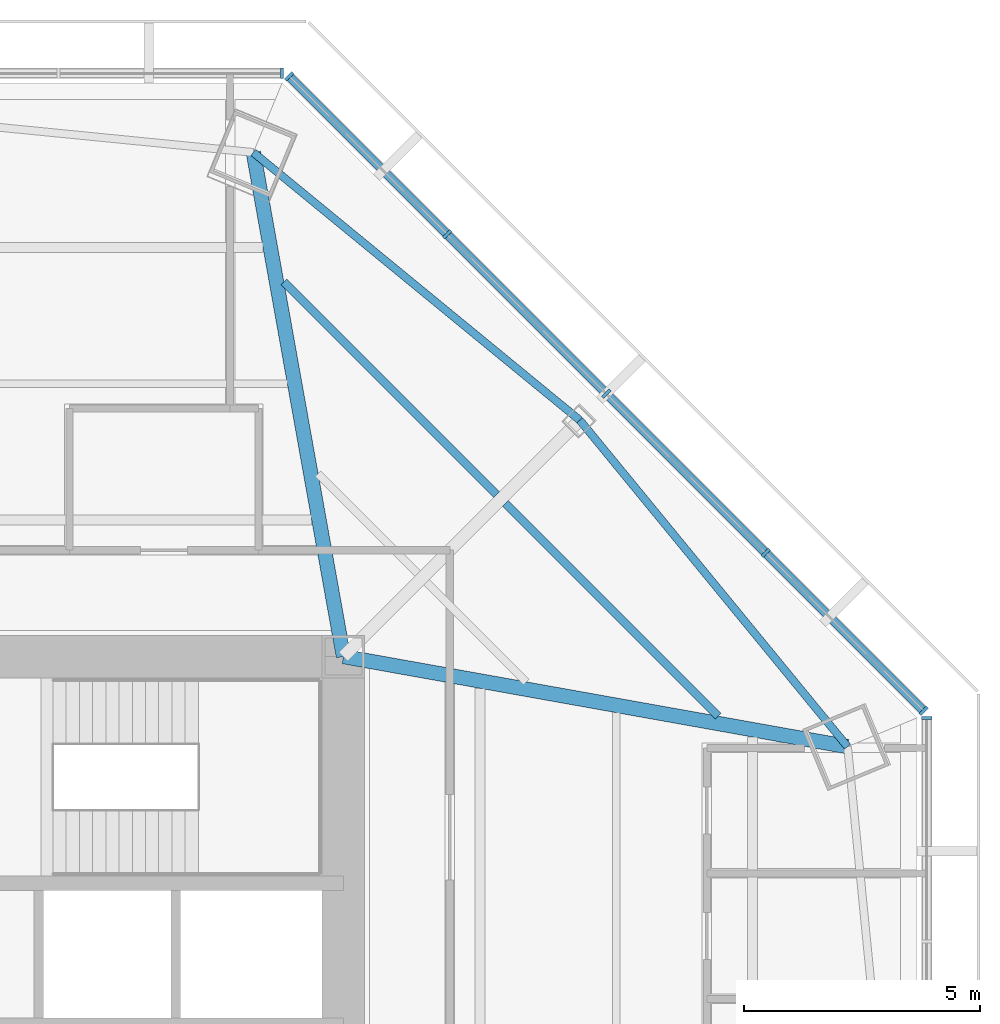
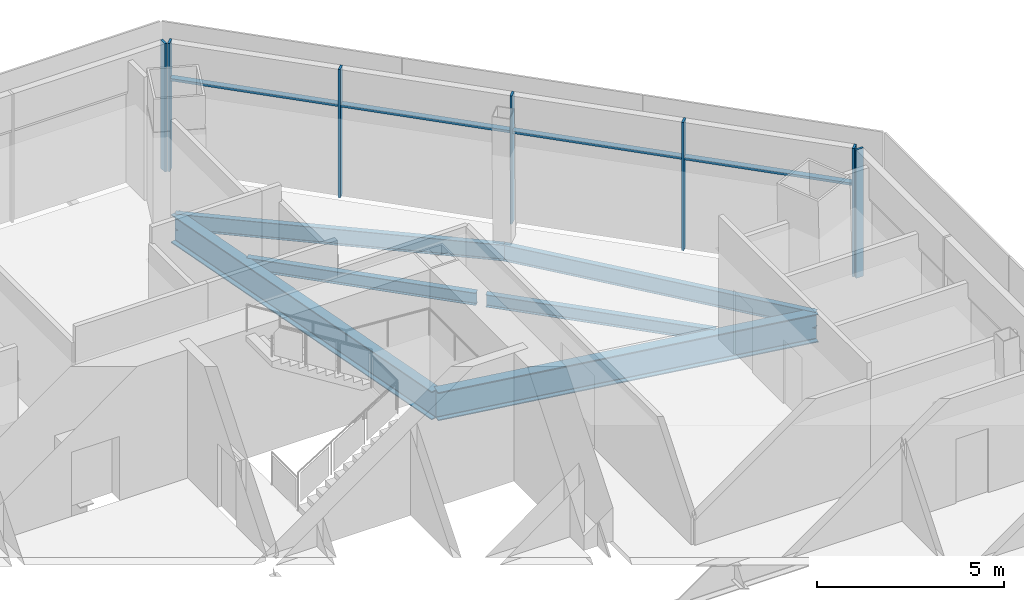
# One storey, part 6 of 15: 11 members, 6 beams, 3 elements without a shape of their own.
"""IFC4 building model written with IfcOpenShell, lengths in metres."""

import ifcopenshell
import ifcopenshell.guid

model = None  # the IFC model being written
_history = None  # IfcOwnerHistory: only IFC2X3 demands one
_inside = {}  # id of a spatial element -> (the spatial element, [elements in it])
_under = {}  # id of a project, library or spatial element -> (it, [spatial elements below it])
_declared = {}  # id of a project -> (the project, [libraries it declares])
_typed = {}  # id of a type object -> (the type object, [elements of that type])
_made_of = {}  # id of a material, layer set ... -> (it, [elements and type objects made of it])


def new_model(schema):
    """Start an empty IFC model of exactly this schema.

    Asked for "IFC4X3", IfcOpenShell would pick the latest addendum, in which some entities
    have other attributes; the version numbers below select the first issue.
    IFC2X3 requires an IfcOwnerHistory on every rooted entity: one is made here for all.
    """
    global model, _history
    if schema == "IFC4X3":
        model = ifcopenshell.file(schema_version=(4, 3, 0, 0))
    else:
        model = ifcopenshell.file(schema=schema)
    _inside.clear()
    _under.clear()
    _declared.clear()
    _typed.clear()
    _made_of.clear()
    _history = None
    if model.schema == "IFC2X3":
        org = make("IfcOrganization", Name="unknown")
        user = make(
            "IfcPersonAndOrganization",
            ThePerson=make("IfcPerson", FamilyName="unknown"),
            TheOrganization=org,
        )
        app = make(
            "IfcApplication",
            ApplicationDeveloper=org,
            Version="unknown",
            ApplicationFullName="unknown",
            ApplicationIdentifier="unknown",
        )
        _history = make(
            "IfcOwnerHistory",
            OwningUser=user,
            OwningApplication=app,
            ChangeAction="ADDED",
            CreationDate=0,
        )
    return model


def make(cls, **values):
    """One entity of the class cls with the attributes given. An attribute that is None is left unset."""
    return model.create_entity(
        cls, **{name: value for name, value in values.items() if value is not None}
    )


def rooted(cls, **values):
    """An entity with a GlobalId (a new one), such as an element, a storey or a relation."""
    return make(cls, GlobalId=ifcopenshell.guid.new(), OwnerHistory=_history, **values)


def si_unit(unit_type, name, prefix=None):
    """IfcSIUnit, for example si_unit("LENGTHUNIT", "METRE", prefix="MILLI")."""
    return make("IfcSIUnit", UnitType=unit_type, Prefix=prefix, Name=name)


def assignment(units):
    """IfcUnitAssignment: the units of a project."""
    return None if units is None else make("IfcUnitAssignment", Units=units)


def point(xyz):
    """IfcCartesianPoint."""
    return None if xyz is None else make("IfcCartesianPoint", Coordinates=xyz)


def direction(xyz):
    """IfcDirection."""
    return None if xyz is None else make("IfcDirection", DirectionRatios=xyz)


def frame(location, z_axis=None, x_axis=None):
    """IfcAxis2Placement3D, a coordinate frame: its origin and axes. An axis left out is left unset."""
    return make(
        "IfcAxis2Placement3D",
        Location=point(location),
        Axis=direction(z_axis),
        RefDirection=direction(x_axis),
    )


def frame_2d(location, x_axis=None):
    """IfcAxis2Placement2D, a coordinate frame in the plane: its origin and x axis."""
    return make(
        "IfcAxis2Placement2D", Location=point(location), RefDirection=direction(x_axis)
    )


def origin():
    """The frame at (0, 0, 0) with its axes left unset."""
    return frame((0.0, 0.0, 0.0))


def origin_2d():
    """The frame at (0, 0) in the plane with its x axis left unset."""
    return frame_2d((0.0, 0.0))


def place(relative_to, where):
    """IfcLocalPlacement: puts the frame where relative to a parent placement (None: the world)."""
    return make(
        "IfcLocalPlacement", PlacementRelTo=relative_to, RelativePlacement=where
    )


def context(
    kind, dimensions, precision=None, world=None, true_north=None, identifier=None
):
    """IfcGeometricRepresentationContext, for example the 3D "Model" context."""
    return make(
        "IfcGeometricRepresentationContext",
        ContextIdentifier=identifier,
        ContextType=kind,
        CoordinateSpaceDimension=dimensions,
        Precision=precision,
        WorldCoordinateSystem=world,
        TrueNorth=true_north,
    )


def subcontext(parent, identifier, kind, view, scale=None):
    """IfcGeometricRepresentationSubContext, for example "Body" below "Model"."""
    return make(
        "IfcGeometricRepresentationSubContext",
        ContextIdentifier=identifier,
        ContextType=kind,
        ParentContext=parent,
        TargetScale=scale,
        TargetView=view,
    )


def project(units=None, contexts=None):
    """IfcProject with its units and contexts."""
    return rooted(
        "IfcProject",
        Name="project",
        RepresentationContexts=contexts,
        UnitsInContext=assignment(units),
    )


def spatial(cls, under=None, at=None, **own):
    """A site, building, storey or space (cls), placed at a placement, below another one or the project."""
    s = rooted(cls, ObjectPlacement=at, **own)
    if under is not None:
        _under.setdefault(under.id(), (under, []))[1].append(s)
    return s


def profile(cls, at=None, kind="AREA", **sizes):
    """A parametric profile (cls). Its sizes go by their IFC names, for example OverallWidth=200.0."""
    return make(cls, ProfileType=kind, Position=at, **sizes)


def rectangle(**sizes):
    """IfcRectangleProfileDef."""
    return profile("IfcRectangleProfileDef", **sizes)


def i_section(**sizes):
    """IfcIShapeProfileDef."""
    return profile("IfcIShapeProfileDef", **sizes)


def extrude(swept, where, along, depth):
    """IfcExtrudedAreaSolid: the profile swept, set in the frame where, extruded along a direction by depth."""
    return make(
        "IfcExtrudedAreaSolid",
        SweptArea=swept,
        Position=where,
        ExtrudedDirection=direction(along),
        Depth=depth,
    )


def shape(context_of_items, identifier, shape_type, items):
    """IfcShapeRepresentation: the items that make up one representation, for example the "Body"."""
    return make(
        "IfcShapeRepresentation",
        ContextOfItems=context_of_items,
        RepresentationIdentifier=identifier,
        RepresentationType=shape_type,
        Items=items,
    )


def source(mapping_origin, context_of_items, identifier, shape_type, items):
    """IfcRepresentationMap: a shape defined once, which mapped items show again and again."""
    return make(
        "IfcRepresentationMap",
        MappingOrigin=mapping_origin,
        MappedRepresentation=shape(context_of_items, identifier, shape_type, items),
    )


def transform(
    local_origin,
    x_axis=None,
    y_axis=None,
    z_axis=None,
    scale=None,
    scale2=None,
    scale3=None,
    uniform=True,
):
    """IfcCartesianTransformationOperator3D, or its non-uniform kind. x_axis, y_axis, z_axis: its Axis1, 2, 3."""
    if uniform:
        return make(
            "IfcCartesianTransformationOperator3D",
            Axis1=direction(x_axis),
            Axis2=direction(y_axis),
            LocalOrigin=point(local_origin),
            Scale=scale,
            Axis3=direction(z_axis),
        )
    return make(
        "IfcCartesianTransformationOperator3DnonUniform",
        Axis1=direction(x_axis),
        Axis2=direction(y_axis),
        LocalOrigin=point(local_origin),
        Scale=scale,
        Axis3=direction(z_axis),
        Scale2=scale2,
        Scale3=scale3,
    )


def mapped(mapping_source, mapping_target):
    """IfcMappedItem: shows the shape of a source again, moved by a transform."""
    return make(
        "IfcMappedItem", MappingSource=mapping_source, MappingTarget=mapping_target
    )


def material(Name=None, Category=None):
    """IfcMaterial."""
    return make("IfcMaterial", Name=Name, Category=Category)


def material_profile(
    of_material, cross_section, Name=None, Category=None, Priority=None
):
    """IfcMaterialProfile: a cross section and its material."""
    return make(
        "IfcMaterialProfile",
        Name=Name,
        Material=of_material,
        Profile=cross_section,
        Priority=Priority,
        Category=Category,
    )


def profile_set(profiles, Name=None, composite=None):
    """IfcMaterialProfileSet."""
    return make(
        "IfcMaterialProfileSet",
        Name=Name,
        MaterialProfiles=profiles,
        CompositeProfile=composite,
    )


def made_of(thing, what):
    """Note that an element or type object is made of a material, layer set ...; save() writes the relation."""
    if what is not None:
        _made_of.setdefault(what.id(), (what, []))[1].append(thing)
    return thing


def type_object(cls, material=None, **own):
    """A type object (cls), such as IfcWallType, which elements share."""
    return made_of(rooted(cls, **own), material)


def type_shapes(of_type, sources):
    """Give a type object the sources (RepresentationMaps) that its elements show as mapped items."""
    of_type.RepresentationMaps = sources


def element(
    cls,
    number,
    at=None,
    inside=None,
    cuts=None,
    type_object=None,
    material=None,
    context=None,
    identifier="Body",
    shape_type=None,
    held_by="IfcProductDefinitionShape",
    body=None,
    shapes=None,
    **own,
):
    """One element of the class cls, such as IfcWall. Its Tag is "e" and its number.

    at: its placement. inside: the storey or other place that contains it. cuts: it is an
    opening in that element (IfcRelVoidsElement). A single representation is given by context,
    identifier, shape_type and body (its items); several are given by shapes. held_by: the class
    of the entity that holds the representations. save() writes the other relations.
    """
    e = rooted(cls, Tag="e%d" % number, ObjectPlacement=at, **own)
    if body is not None:
        shapes = [shape(context, identifier, shape_type, body)]
    if shapes is not None:
        e.Representation = make(held_by, Representations=shapes)
    if inside is not None:
        _inside.setdefault(inside.id(), (inside, []))[1].append(e)
    if cuts is not None:
        rooted(
            "IfcRelVoidsElement", RelatingBuildingElement=cuts, RelatedOpeningElement=e
        )
    if type_object is not None:
        _typed.setdefault(type_object.id(), (type_object, []))[1].append(e)
    return made_of(e, material)


def aggregate(whole, parts):
    """IfcRelAggregates: a whole, such as a stair, and the parts it consists of."""
    return rooted("IfcRelAggregates", RelatingObject=whole, RelatedObjects=parts)


def save(model, path):
    """Write the relations noted so far, then the file.

    IfcRelAggregates (storeys below a building ...), IfcRelContainedInSpatialStructure (elements
    in a storey), IfcRelDefinesByType, IfcRelAssociatesMaterial and IfcRelDeclares: one each for
    every whole, place, type object, material and project.
    """
    for whole, parts in _under.values():
        aggregate(whole, parts)
    for where, things in _inside.values():
        rooted(
            "IfcRelContainedInSpatialStructure",
            RelatedElements=things,
            RelatingStructure=where,
        )
    for kind, things in _typed.values():
        rooted("IfcRelDefinesByType", RelatedObjects=things, RelatingType=kind)
    for what, things in _made_of.values():
        rooted("IfcRelAssociatesMaterial", RelatedObjects=things, RelatingMaterial=what)
    for by, libraries in _declared.values():
        rooted("IfcRelDeclares", RelatingContext=by, RelatedDefinitions=libraries)
    model.write(path)


model = new_model("IFC4")

# Units and contexts
model_context = context("Model", 3, precision=1e-05, world=origin(), true_north=direction((0.0, 1.0)))
body_context = subcontext(model_context, "Body", "Model", "MODEL_VIEW")
ifc_project = project(units=[si_unit("LENGTHUNIT", "METRE"), si_unit("AREAUNIT", "SQUARE_METRE"), si_unit("VOLUMEUNIT", "CUBIC_METRE"), si_unit("PLANEANGLEUNIT", "RADIAN"), si_unit("MASSUNIT", "GRAM", prefix="KILO")], contexts=[model_context])

# Site, building, storey
site_placement = place(None, origin())
site = spatial("IfcSite", under=ifc_project, at=site_placement, CompositionType="ELEMENT")
building_placement = place(site_placement, origin())
building = spatial("IfcBuilding", under=site, at=building_placement, Name="Mashrafa Tower", CompositionType="ELEMENT")
storey_placement = place(building_placement, frame((0.0, 0.0, 172.199951171875)))
storey = spatial("IfcBuildingStorey", under=building, at=storey_placement, Name="L39", CompositionType="ELEMENT", Elevation=172.199951171875)

# Beams
ifc_material_1 = material(Name="Steel ASTM A992", Category="steel")
ifc_material_profile_1 = material_profile(ifc_material_1, i_section(OverallWidth=0.177734375, OverallDepth=0.406494140625, WebThickness=0.0078125, FlangeThickness=0.012939453125, FilletRadius=0.01025390625, at=origin_2d()), Name="W16X40")
ifc_profile_set_1 = profile_set([ifc_material_profile_1], Name="Steel ASTM A992")
beam_type_1 = type_object("IfcBeamType", Name="Beam W16X40", PredefinedType="BEAM", material=ifc_profile_set_1)
for number, where, z_axis, x_axis, name in (
    (1, (9.538818359375, 18.731201171875, -0.3681640625), (0.707106781187, -0.707106781187, 0.0), (0.707106781187, 0.707106781187, 0.0), "Floor beam L39 025"),
    (2, (14.229248046875, 14.040771484375, -0.3681640625), (0.707106781187, -0.707106781187, 0.0), (0.707106781187, 0.707106781187, 0.0), "Floor beam L39 034"),
):
    element("IfcBeam", number, at=place(storey_placement, frame(where, z_axis=z_axis, x_axis=x_axis)), inside=storey, type_object=beam_type_1, Name=name, PredefinedType="BEAM", context=body_context, shape_type="SweptSolid", body=[
        extrude(i_section(OverallWidth=0.177734375, OverallDepth=0.406494140625, WebThickness=0.0078125, FlangeThickness=0.012939453125, FilletRadius=0.01025390625, at=origin_2d()), origin(), (0.0, 0.0, 1.0), 6.36669921875),
    ])
ifc_material_2 = material(Name="Steel ASTM A992", Category="steel")
ifc_material_profile_2 = material_profile(ifc_material_2, i_section(OverallWidth=0.1650390625, OverallDepth=0.52587890625, WebThickness=0.0087890625, FlangeThickness=0.011474609375, FilletRadius=0.0126953125, at=origin_2d()), Name="W21X44")
ifc_profile_set_2 = profile_set([ifc_material_profile_2], Name="Steel ASTM A992")
beam_type_2 = type_object("IfcBeamType", Name="Beam W21X44", PredefinedType="BEAM", material=ifc_profile_set_2)
for number, where, z_axis, x_axis, name in (
    (3, (15.802490234375, 15.802490234375, -0.427734375), (-0.773171604374, 0.634196870214, 0.0), (-0.634196870214, -0.773171604374, 0.0), "Spandrel beam L39 069"),
    (4, (21.469970703125, 8.89306640625, -0.427734375), (-0.634196870214, 0.773171604374, 0.0), (-0.773171604374, -0.634196870214, 0.0), "Spandrel beam L39 071"),
):
    element("IfcBeam", number, at=place(storey_placement, frame(where, z_axis=z_axis, x_axis=x_axis)), inside=storey, type_object=beam_type_2, Name=name, PredefinedType="BEAM", context=body_context, shape_type="SweptSolid", body=[
        extrude(i_section(OverallWidth=0.1650390625, OverallDepth=0.52587890625, WebThickness=0.0087890625, FlangeThickness=0.011474609375, FilletRadius=0.0126953125, at=origin_2d()), origin(), (0.0, 0.0, 1.0), 8.9365234375),
    ])
ifc_material_3 = material(Name="Steel ASTM A992", Category="steel")
ifc_material_profile_3 = material_profile(ifc_material_3, i_section(OverallWidth=0.307373046875, OverallDepth=0.927001953125, WebThickness=0.01953125, FlangeThickness=0.031982421875, FilletRadius=0.01904296875, at=origin_2d()), Name="W36X194")
ifc_profile_set_3 = profile_set([ifc_material_profile_3], Name="Steel ASTM A992")
beam_type_3 = type_object("IfcBeamType", Name="Beam W36X194", PredefinedType="BEAM", material=ifc_profile_set_3)
for number, where, z_axis, x_axis, name in (
    (5, (10.800048828125, 10.800048828125, -0.62841796875), (-0.175937197526, 0.984401392993, 0.0), (-0.984401392993, -0.175937197526, 0.0), "Radial girder L39 054"),
    (6, (10.800048828125, 10.800048828125, -0.62841796875), (0.984401392993, -0.175937197526, 0.0), (0.175937197526, 0.984401392993, 0.0), "Radial girder L39 056"),
):
    element("IfcBeam", number, at=place(storey_placement, frame(where, z_axis=z_axis, x_axis=x_axis)), inside=storey, type_object=beam_type_3, Name=name, PredefinedType="BEAM", context=body_context, shape_type="SweptSolid", body=[
        extrude(i_section(OverallWidth=0.307373046875, OverallDepth=0.927001953125, WebThickness=0.01953125, FlangeThickness=0.031982421875, FilletRadius=0.01904296875, at=origin_2d()), origin(), (0.0, 0.0, 1.0), 10.839111328125),
    ])

# Curtain wall, member
ifc_material_4 = material(Name="Unitised aluminium curtain wall", Category="aluminium")
curtain_wall_type = type_object("IfcCurtainWallType", Name="Office curtain wall, zone 2 CW-B 225 deep", PredefinedType="NOTDEFINED", material=ifc_material_4)
curtain_wall_1_placement = place(storey_placement, origin())
curtain_wall_1 = element("IfcCurtainWall", 7, at=curtain_wall_1_placement, inside=storey, type_object=curtain_wall_type, Name="Office curtain wall, zone 2 L39 east", PredefinedType="NOTDEFINED")
ifc_material_5 = material(Name="Extruded aluminium mullion", Category="aluminium")
ifc_material_profile_4 = material_profile(ifc_material_5, rectangle(XDim=0.22509765625, YDim=0.06494140625, at=origin_2d()), Name="Mullion 65x225")
ifc_profile_set_4 = profile_set([ifc_material_profile_4], Name="Extruded aluminium mullion")
member_type_1 = type_object("IfcMemberType", Name="Mullion CW-B 65 x 225", PredefinedType="MULLION", material=ifc_profile_set_4)
shared_shape_1 = source(origin(), body_context, "Body", "SweptSolid", [
    extrude(rectangle(XDim=0.22509765625, YDim=0.06494140625, at=origin_2d()), origin(), (0.0, 0.0, 1.0), 4.199951171875),
])
type_shapes(member_type_1, [shared_shape_1])
member_1_placement = place(storey_placement, frame((23.143310546875, 9.497314453125, 0.0), z_axis=(0.0, 0.0, 1.0), x_axis=(-1.0, 0.0, 0.0)))
member_1 = element("IfcMember", 8, at=member_1_placement, type_object=member_type_1, Name="CW-B mullion 5", PredefinedType="MULLION", context=body_context, shape_type="MappedRepresentation", body=[
    mapped(shared_shape_1, transform((0.0, 0.0, 0.0))),
])
aggregate(curtain_wall_1, [member_1])

# Curtain wall, members
curtain_wall_2_placement = place(storey_placement, origin())
curtain_wall_2 = element("IfcCurtainWall", 9, at=curtain_wall_2_placement, inside=storey, type_object=curtain_wall_type, Name="Office curtain wall, zone 2 L39 north-east", PredefinedType="NOTDEFINED")
member_2_placement = place(storey_placement, frame((23.080322265625, 9.6494140625, 0.0), z_axis=(0.0, 0.0, 1.0), x_axis=(-0.707106781187, -0.707106781187, 0.0)))
member_2 = element("IfcMember", 10, at=member_2_placement, type_object=member_type_1, Name="CW-B mullion 1", PredefinedType="MULLION", context=body_context, shape_type="MappedRepresentation", body=[
    mapped(shared_shape_1, transform((0.0, 0.0, 0.0))),
])
member_3_placement = place(storey_placement, frame((19.734130859375, 12.99560546875, 0.0), z_axis=(0.0, 0.0, 1.0), x_axis=(-0.707106781187, -0.707106781187, 0.0)))
member_3 = element("IfcMember", 11, at=member_3_placement, type_object=member_type_1, Name="CW-B mullion 2", PredefinedType="MULLION", context=body_context, shape_type="MappedRepresentation", body=[
    mapped(shared_shape_1, transform((0.0, 0.0, 0.0))),
])
member_4_placement = place(storey_placement, frame((16.364990234375, 16.364990234375, 0.0), z_axis=(0.0, 0.0, 1.0), x_axis=(-0.707106781187, -0.707106781187, 0.0)))
member_4 = element("IfcMember", 12, at=member_4_placement, type_object=member_type_1, Name="CW-B mullion 3", PredefinedType="MULLION", context=body_context, shape_type="MappedRepresentation", body=[
    mapped(shared_shape_1, transform((0.0, 0.0, 0.0))),
])
member_5_placement = place(storey_placement, frame((12.99560546875, 19.734130859375, 0.0), z_axis=(0.0, 0.0, 1.0), x_axis=(-0.707106781187, -0.707106781187, 0.0)))
member_5 = element("IfcMember", 13, at=member_5_placement, type_object=member_type_1, Name="CW-B mullion 4", PredefinedType="MULLION", context=body_context, shape_type="MappedRepresentation", body=[
    mapped(shared_shape_1, transform((0.0, 0.0, 0.0))),
])
member_6_placement = place(storey_placement, frame((9.6494140625, 23.080322265625, 0.0), z_axis=(0.0, 0.0, 1.0), x_axis=(-0.707106781187, -0.707106781187, 0.0)))
member_6 = element("IfcMember", 14, at=member_6_placement, type_object=member_type_1, Name="CW-B mullion 5", PredefinedType="MULLION", context=body_context, shape_type="MappedRepresentation", body=[
    mapped(shared_shape_1, transform((0.0, 0.0, 0.0))),
])

# Curtain wall, member
curtain_wall_3_placement = place(storey_placement, origin())
curtain_wall_3 = element("IfcCurtainWall", 15, at=curtain_wall_3_placement, inside=storey, type_object=curtain_wall_type, Name="Office curtain wall, zone 2 L39 north", PredefinedType="NOTDEFINED")
member_7_placement = place(storey_placement, frame((9.497314453125, 23.143310546875, 0.0), z_axis=(0.0, 0.0, 1.0), x_axis=(0.0, -1.0, 0.0)))
member_7 = element("IfcMember", 16, at=member_7_placement, type_object=member_type_1, Name="CW-B mullion 1", PredefinedType="MULLION", context=body_context, shape_type="MappedRepresentation", body=[
    mapped(shared_shape_1, transform((0.0, 0.0, 0.0))),
])
aggregate(curtain_wall_3, [member_7])

# Member
ifc_material_6 = material(Name="Extruded aluminium transom", Category="aluminium")
ifc_material_profile_5 = material_profile(ifc_material_6, rectangle(XDim=0.179931640625, YDim=0.080078125, at=origin_2d()), Name="Transom 80x180")
ifc_profile_set_5 = profile_set([ifc_material_profile_5], Name="Extruded aluminium transom")
member_type_2 = type_object("IfcMemberType", Name="Transom CW-B 80 x 180", PredefinedType="MULLION", material=ifc_profile_set_5)
shared_shape_2 = source(origin(), body_context, "Body", "SweptSolid", [
    extrude(rectangle(XDim=0.179931640625, YDim=0.080078125, at=origin_2d()), origin(), (0.0, 0.0, 1.0), 4.667236328125),
])
member_8_placement = place(storey_placement, frame((23.057373046875, 9.67236328125, 3.0), z_axis=(-0.707106781187, 0.707106781187, 0.0), x_axis=(-0.707106781187, -0.707106781187, 0.0)))
member_8 = element("IfcMember", 17, at=member_8_placement, type_object=member_type_2, Name="CW-B transom 1", PredefinedType="MULLION", context=body_context, shape_type="MappedRepresentation", body=[
    mapped(shared_shape_2, transform((0.0, 0.0, 0.0))),
])

member_9_placement = place(storey_placement, frame((12.97265625, 19.757080078125, 3.0), z_axis=(-0.707106781187, 0.707106781187, 0.0), x_axis=(-0.707106781187, -0.707106781187, 0.0)))
member_9 = element("IfcMember", 18, at=member_9_placement, type_object=member_type_2, Name="CW-B transom 4", PredefinedType="MULLION", context=body_context, shape_type="MappedRepresentation", body=[
    mapped(shared_shape_2, transform((0.0, 0.0, 0.0))),
])

shared_shape_3 = source(origin(), body_context, "Body", "SweptSolid", [
    extrude(rectangle(XDim=0.179931640625, YDim=0.080078125, at=origin_2d()), origin(), (0.0, 0.0, 1.0), 4.69970703125),
])
type_shapes(member_type_2, [shared_shape_2, shared_shape_3])
member_10_placement = place(storey_placement, frame((19.711181640625, 13.0185546875, 3.0), z_axis=(-0.707106781187, 0.707106781187, 0.0), x_axis=(-0.707106781187, -0.707106781187, 0.0)))
member_10 = element("IfcMember", 19, at=member_10_placement, type_object=member_type_2, Name="CW-B transom 2", PredefinedType="MULLION", context=body_context, shape_type="MappedRepresentation", body=[
    mapped(shared_shape_3, transform((0.0, 0.0, 0.0))),
])

member_11_placement = place(storey_placement, frame((16.341796875, 16.387939453125, 3.0), z_axis=(-0.707106781187, 0.707106781187, 0.0), x_axis=(-0.707106781187, -0.707106781187, 0.0)))
member_11 = element("IfcMember", 20, at=member_11_placement, type_object=member_type_2, Name="CW-B transom 3", PredefinedType="MULLION", context=body_context, shape_type="MappedRepresentation", body=[
    mapped(shared_shape_3, transform((0.0, 0.0, 0.0))),
])

aggregate(curtain_wall_2, [member_2, member_3, member_4, member_5, member_6, member_8, member_10, member_11, member_9])

save(model, "model.ifc")
